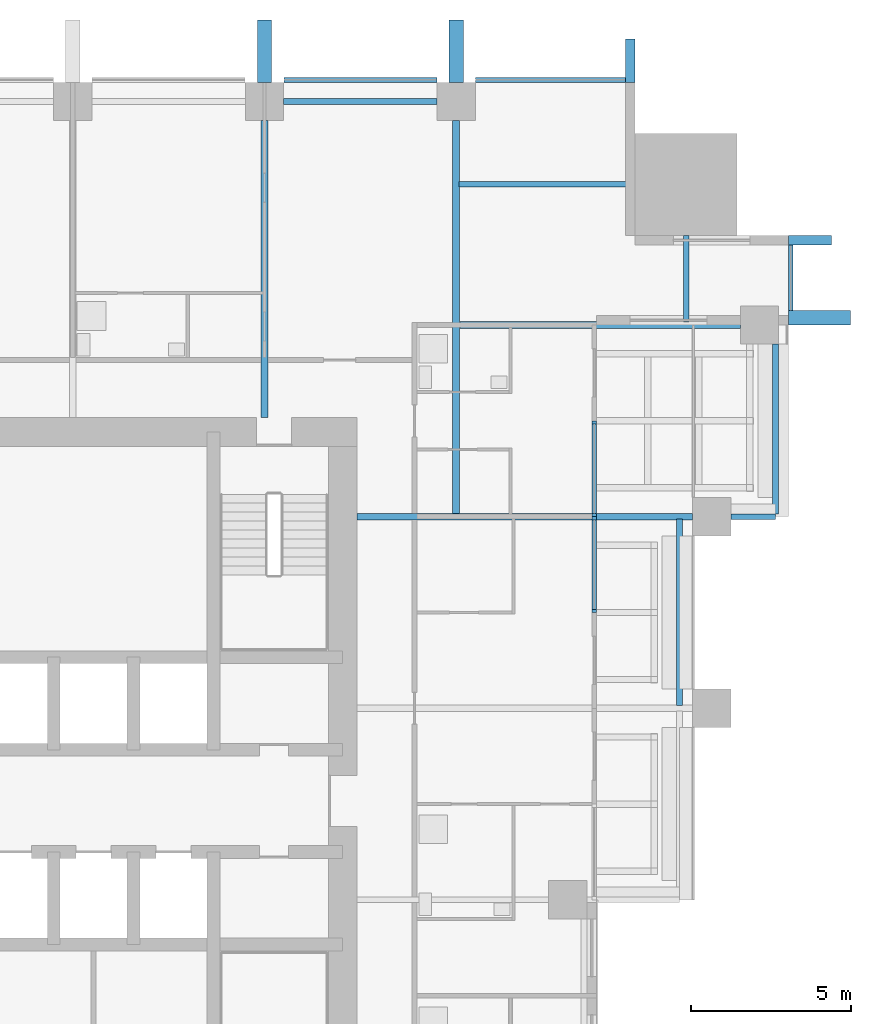
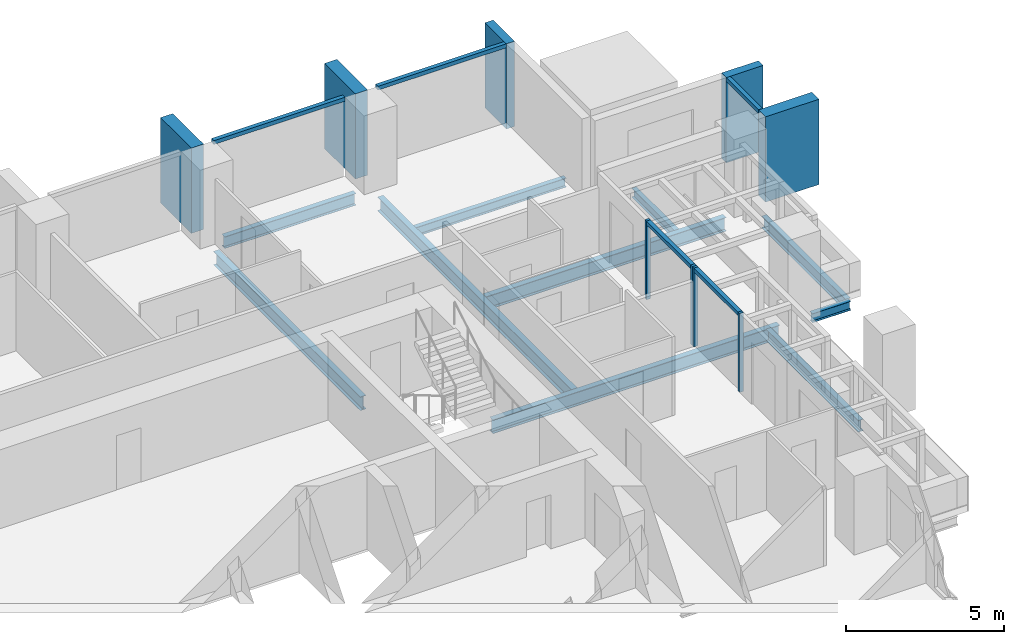
# One storey, part 5 of 15: 14 members, 10 beams, 4 elements without a shape of their own.
"""IFC4 building model written with IfcOpenShell, lengths in metres."""

from ifc_helpers import new_model, si_unit, direction, frame, origin, origin_2d, place, context, subcontext, project, spatial, rectangle, i_section, extrude, material, material_profile, profile_set, type_object, element, aggregate, save


model = new_model("IFC4")

# Units and contexts
model_context = context("Model", 3, precision=1e-05, world=origin(), true_north=direction((0.0, 1.0)))
body_context = subcontext(model_context, "Body", "Model", "MODEL_VIEW")
ifc_project = project(units=[si_unit("LENGTHUNIT", "METRE"), si_unit("AREAUNIT", "SQUARE_METRE"), si_unit("VOLUMEUNIT", "CUBIC_METRE"), si_unit("PLANEANGLEUNIT", "RADIAN"), si_unit("MASSUNIT", "GRAM", prefix="KILO")], contexts=[model_context])

# Site, building, storey
site_placement = place(None, origin())
site = spatial("IfcSite", under=ifc_project, at=site_placement, CompositionType="ELEMENT")
building_placement = place(site_placement, origin())
building = spatial("IfcBuilding", under=site, at=building_placement, Name="Amberfall Residences", CompositionType="ELEMENT")
storey_placement = place(building_placement, frame((0.0, 0.0, 53.199951171875)))
storey = spatial("IfcBuildingStorey", under=building, at=storey_placement, Name="L14", CompositionType="ELEMENT", Elevation=53.199951171875)

# Curtain wall, member
ifc_material_1 = material(Name="Bronze anodised aluminium and glass", Category="aluminium")
curtain_wall_type_1 = type_object("IfcCurtainWallType", Name="Curtain wall CW1 tower unit", PredefinedType="USERDEFINED", material=ifc_material_1)
curtain_wall_1_placement = place(storey_placement, origin())
curtain_wall_1 = element("IfcCurtainWall", 1, at=curtain_wall_1_placement, inside=storey, type_object=curtain_wall_type_1, Name="Curtain wall L14 E E9", ObjectType="UNITISED CURTAIN WALL", PredefinedType="USERDEFINED")
ifc_material_2 = material(Name="Bronze anodised aluminium", Category="aluminium")
ifc_material_profile_1 = material_profile(ifc_material_2, rectangle(XDim=0.14990234375, YDim=0.14990234375, at=origin_2d()), Name="CW1 transom 150 x 150 bronze")
ifc_profile_set_1 = profile_set([ifc_material_profile_1], Name="Bronze anodised aluminium")
member_type_1 = type_object("IfcMemberType", Name="CW1 transom 150 x 150 bronze", PredefinedType="USERDEFINED", material=ifc_profile_set_1)
member_1_placement = place(storey_placement, frame((100.074951171875, 60.85009765625, 2.97509765625), z_axis=(0.0, 1.0, 0.0), x_axis=(-1.0, 0.0, 0.0)))
member_1 = element("IfcMember", 2, at=member_1_placement, type_object=member_type_1, Name="CW1 transom 1.1", ObjectType="TRANSOM", PredefinedType="USERDEFINED", context=body_context, shape_type="SweptSolid", body=[
    extrude(rectangle(XDim=0.14990234375, YDim=0.14990234375, at=origin_2d()), origin(), (0.0, 0.0, 1.0), 2.0498046875),
])

# Curtain wall, members
curtain_wall_2_placement = place(storey_placement, origin())
curtain_wall_2 = element("IfcCurtainWall", 3, at=curtain_wall_2_placement, inside=storey, type_object=curtain_wall_type_1, Name="Curtain wall L14 N N1", ObjectType="UNITISED CURTAIN WALL", PredefinedType="USERDEFINED")
member_2_placement = place(storey_placement, frame((94.89990234375, 68.074951171875, 2.97509765625), z_axis=(-1.0, 0.0, 0.0), x_axis=(0.0, -1.0, 0.0)))
member_2 = element("IfcMember", 4, at=member_2_placement, type_object=member_type_1, Name="CW1 transom 1.1", ObjectType="TRANSOM", PredefinedType="USERDEFINED", context=body_context, shape_type="SweptSolid", body=[
    extrude(rectangle(XDim=0.14990234375, YDim=0.14990234375, at=origin_2d()), origin(), (0.0, 0.0, 1.0), 4.69482421875),
])
member_3_placement = place(storey_placement, frame((88.9951171875, 68.074951171875, 2.97509765625), z_axis=(-1.0, 0.0, 0.0), x_axis=(0.0, -1.0, 0.0)))
member_3 = element("IfcMember", 5, at=member_3_placement, type_object=member_type_1, Name="CW1 transom 2.1", ObjectType="TRANSOM", PredefinedType="USERDEFINED", context=body_context, shape_type="SweptSolid", body=[
    extrude(rectangle(XDim=0.14990234375, YDim=0.14990234375, at=origin_2d()), origin(), (0.0, 0.0, 1.0), 4.7900390625),
])

curtain_wall_type_2 = type_object("IfcCurtainWallType", Name="Curtain wall CW3 sky garden glazing", PredefinedType="USERDEFINED", material=ifc_material_1)
curtain_wall_3_placement = place(storey_placement, origin())
curtain_wall_3 = element("IfcCurtainWall", 6, at=curtain_wall_3_placement, inside=storey, type_object=curtain_wall_type_2, Name="Curtain wall L14 E E6", ObjectType="UNITISED CURTAIN WALL", PredefinedType="USERDEFINED")
ifc_material_profile_2 = material_profile(ifc_material_2, rectangle(XDim=0.14990234375, YDim=0.10009765625, at=origin_2d()), Name="CW3 mullion 100 x 150 bronze")
ifc_profile_set_2 = profile_set([ifc_material_profile_2], Name="Bronze anodised aluminium")
member_type_2 = type_object("IfcMemberType", Name="CW3 mullion 100 x 150 bronze", PredefinedType="MULLION", material=ifc_profile_set_2)
member_4_placement = place(storey_placement, frame((93.925048828125, 51.449951171875, 0.0), z_axis=(0.0, 0.0, 1.0), x_axis=(-1.0, 0.0, 0.0)))
member_4 = element("IfcMember", 7, at=member_4_placement, type_object=member_type_2, Name="CW3 mullion 1", PredefinedType="MULLION", context=body_context, shape_type="SweptSolid", body=[
    extrude(rectangle(XDim=0.14990234375, YDim=0.10009765625, at=origin_2d()), origin(), (0.0, 0.0, 1.0), 3.050048828125),
])
member_5_placement = place(storey_placement, frame((93.925048828125, 54.35009765625, 0.0), z_axis=(0.0, 0.0, 1.0), x_axis=(-1.0, 0.0, 0.0)))
member_5 = element("IfcMember", 8, at=member_5_placement, type_object=member_type_2, Name="CW3 mullion 2", PredefinedType="MULLION", context=body_context, shape_type="SweptSolid", body=[
    extrude(rectangle(XDim=0.14990234375, YDim=0.10009765625, at=origin_2d()), origin(), (0.0, 0.0, 1.0), 3.050048828125),
])

curtain_wall_4_placement = place(storey_placement, origin())
curtain_wall_4 = element("IfcCurtainWall", 9, at=curtain_wall_4_placement, inside=storey, type_object=curtain_wall_type_2, Name="Curtain wall L14 E E7", ObjectType="UNITISED CURTAIN WALL", PredefinedType="USERDEFINED")
member_6_placement = place(storey_placement, frame((93.925048828125, 54.449951171875, 0.0), z_axis=(0.0, 0.0, 1.0), x_axis=(-1.0, 0.0, 0.0)))
member_6 = element("IfcMember", 10, at=member_6_placement, type_object=member_type_2, Name="CW3 mullion 1", PredefinedType="MULLION", context=body_context, shape_type="SweptSolid", body=[
    extrude(rectangle(XDim=0.14990234375, YDim=0.10009765625, at=origin_2d()), origin(), (0.0, 0.0, 1.0), 3.050048828125),
])
member_7_placement = place(storey_placement, frame((93.925048828125, 57.35009765625, 0.0), z_axis=(0.0, 0.0, 1.0), x_axis=(-1.0, 0.0, 0.0)))
member_7 = element("IfcMember", 11, at=member_7_placement, type_object=member_type_2, Name="CW3 mullion 2", PredefinedType="MULLION", context=body_context, shape_type="SweptSolid", body=[
    extrude(rectangle(XDim=0.14990234375, YDim=0.10009765625, at=origin_2d()), origin(), (0.0, 0.0, 1.0), 3.050048828125),
])

# Member
ifc_material_profile_3 = material_profile(ifc_material_2, rectangle(XDim=0.14990234375, YDim=0.14990234375, at=origin_2d()), Name="CW3 transom 150 x 150 bronze")
ifc_profile_set_3 = profile_set([ifc_material_profile_3], Name="Bronze anodised aluminium")
member_type_3 = type_object("IfcMemberType", Name="CW3 transom 150 x 150 bronze", PredefinedType="USERDEFINED", material=ifc_profile_set_3)
member_8_placement = place(storey_placement, frame((93.925048828125, 51.5, 2.97509765625), z_axis=(0.0, 1.0, 0.0), x_axis=(-1.0, 0.0, 0.0)))
member_8 = element("IfcMember", 12, at=member_8_placement, type_object=member_type_3, Name="CW3 transom 1.1", ObjectType="TRANSOM", PredefinedType="USERDEFINED", context=body_context, shape_type="SweptSolid", body=[
    extrude(rectangle(XDim=0.14990234375, YDim=0.14990234375, at=origin_2d()), origin(), (0.0, 0.0, 1.0), 2.800048828125),
])

aggregate(curtain_wall_3, [member_4, member_5, member_8])

member_9_placement = place(storey_placement, frame((93.925048828125, 54.5, 2.97509765625), z_axis=(0.0, 1.0, 0.0), x_axis=(-1.0, 0.0, 0.0)))
member_9 = element("IfcMember", 13, at=member_9_placement, type_object=member_type_3, Name="CW3 transom 1.1", ObjectType="TRANSOM", PredefinedType="USERDEFINED", context=body_context, shape_type="SweptSolid", body=[
    extrude(rectangle(XDim=0.14990234375, YDim=0.14990234375, at=origin_2d()), origin(), (0.0, 0.0, 1.0), 2.800048828125),
])

aggregate(curtain_wall_4, [member_6, member_7, member_9])

# Beam
ifc_material_3 = material(Name="Steel S355", Category="steel")
ifc_material_profile_4 = material_profile(ifc_material_3, i_section(OverallWidth=0.171142578125, OverallDepth=0.351318359375, WebThickness=0.007080078125, FlangeThickness=0.009765625, FilletRadius=0.01025390625, at=origin_2d()), Name="UB 356x171x45")
ifc_profile_set_4 = profile_set([ifc_material_profile_4], Name="Steel S355")
beam_type_1 = type_object("IfcBeamType", Name="Cantilever girder UB 356x171x45", PredefinedType="BEAM", material=ifc_profile_set_4)
beam_1_placement = place(storey_placement, frame((98.199951171875, 54.39990234375, -0.425537109375), z_axis=(1.0, 0.0, 0.0), x_axis=(0.0, 1.0, 0.0)))
element("IfcBeam", 14, at=beam_1_placement, inside=storey, type_object=beam_type_1, Name="Cantilever girder B8 L14 20", PredefinedType="BEAM", context=body_context, shape_type="SweptSolid", body=[
    extrude(i_section(OverallWidth=0.171142578125, OverallDepth=0.351318359375, WebThickness=0.007080078125, FlangeThickness=0.009765625, FilletRadius=0.01025390625, at=origin_2d()), origin(), (0.0, 0.0, 1.0), 1.400146484375),
])

# Member
ifc_material_profile_5 = material_profile(ifc_material_2, rectangle(XDim=1.35009765625, YDim=0.300048828125, at=origin_2d()), Name="Corner fin 300 x 1350 bronze")
ifc_profile_set_5 = profile_set([ifc_material_profile_5], Name="Bronze anodised aluminium")
member_type_4 = type_object("IfcMemberType", Name="Corner fin 300 x 1350 bronze", PredefinedType="MULLION", material=ifc_profile_set_5)
member_10_placement = place(storey_placement, frame((100.675048828125, 63.050048828125, -0.25), z_axis=(0.0, 0.0, 1.0), x_axis=(-1.0, 0.0, 0.0)))
member_10 = element("IfcMember", 15, at=member_10_placement, type_object=member_type_4, Name="CW FIN 2", PredefinedType="MULLION", context=body_context, shape_type="SweptSolid", body=[
    extrude(rectangle(XDim=1.35009765625, YDim=0.300048828125, at=origin_2d()), origin(), (0.0, 0.0, 1.0), 3.300048828125),
])

member_11_placement = place(storey_placement, frame((95.050048828125, 68.675048828125, -0.25), z_axis=(0.0, 0.0, 1.0), x_axis=(0.0, -1.0, 0.0)))
member_11 = element("IfcMember", 16, at=member_11_placement, type_object=member_type_4, Name="CW FIN 1", PredefinedType="MULLION", context=body_context, shape_type="SweptSolid", body=[
    extrude(rectangle(XDim=1.35009765625, YDim=0.300048828125, at=origin_2d()), origin(), (0.0, 0.0, 1.0), 3.300048828125),
])

# Beams
ifc_material_profile_6 = material_profile(ifc_material_3, i_section(OverallWidth=0.18994140625, OverallDepth=0.453369140625, WebThickness=0.008544921875, FlangeThickness=0.0126953125, FilletRadius=0.01025390625, at=origin_2d()), Name="UB 457x191x67")
ifc_profile_set_6 = profile_set([ifc_material_profile_6], Name="Steel S355")
beam_type_2 = type_object("IfcBeamType", Name="Edge beam UB 457x191x67", PredefinedType="SPANDREL", material=ifc_profile_set_6)
beam_2_placement = place(storey_placement, frame((96.60009765625, 48.47998046875, -0.4765625), z_axis=(0.0, 1.0, 0.0), x_axis=(-1.0, 0.0, 0.0)))
element("IfcBeam", 17, at=beam_2_placement, inside=storey, type_object=beam_type_2, Name="Edge beam B1 L14 17", PredefinedType="SPANDREL", context=body_context, shape_type="SweptSolid", body=[
    extrude(i_section(OverallWidth=0.18994140625, OverallDepth=0.453369140625, WebThickness=0.008544921875, FlangeThickness=0.0126953125, FilletRadius=0.01025390625, at=origin_2d()), origin(), (0.0, 0.0, 1.0), 5.840087890625),
])
beam_3_placement = place(storey_placement, frame((99.60009765625, 54.47998046875, -0.4765625), z_axis=(0.0, 1.0, 0.0), x_axis=(-1.0, 0.0, 0.0)))
element("IfcBeam", 18, at=beam_3_placement, inside=storey, type_object=beam_type_2, Name="Edge beam B1 L14 18", PredefinedType="SPANDREL", context=body_context, shape_type="SweptSolid", body=[
    extrude(i_section(OverallWidth=0.18994140625, OverallDepth=0.453369140625, WebThickness=0.008544921875, FlangeThickness=0.0126953125, FilletRadius=0.01025390625, at=origin_2d()), origin(), (0.0, 0.0, 1.0), 5.320068359375),
])
beam_4_placement = place(storey_placement, frame((84.199951171875, 67.39990234375, -0.4765625), z_axis=(1.0, 0.0, 0.0), x_axis=(0.0, 1.0, 0.0)))
element("IfcBeam", 19, at=beam_4_placement, inside=storey, type_object=beam_type_2, Name="Edge beam B1 L14 31", PredefinedType="SPANDREL", context=body_context, shape_type="SweptSolid", body=[
    extrude(i_section(OverallWidth=0.18994140625, OverallDepth=0.453369140625, WebThickness=0.008544921875, FlangeThickness=0.0126953125, FilletRadius=0.01025390625, at=origin_2d()), origin(), (0.0, 0.0, 1.0), 4.800048828125),
])

# Member
ifc_material_profile_7 = material_profile(ifc_material_2, rectangle(XDim=1.949951171875, YDim=0.449951171875, at=origin_2d()), Name="Fin 450 x 1950 bronze")
ifc_profile_set_7 = profile_set([ifc_material_profile_7], Name="Bronze anodised aluminium")
member_type_5 = type_object("IfcMemberType", Name="Fin 450 x 1950 bronze", PredefinedType="MULLION", material=ifc_profile_set_7)
member_12_placement = place(storey_placement, frame((100.97509765625, 60.625, -0.25), z_axis=(0.0, 0.0, 1.0), x_axis=(-1.0, 0.0, 0.0)))
member_12 = element("IfcMember", 20, at=member_12_placement, type_object=member_type_5, Name="CW FIN 1", PredefinedType="MULLION", context=body_context, shape_type="SweptSolid", body=[
    extrude(rectangle(XDim=1.949951171875, YDim=0.449951171875, at=origin_2d()), origin(), (0.0, 0.0, 1.0), 3.300048828125),
])

aggregate(curtain_wall_1, [member_12, member_10, member_1])

member_13_placement = place(storey_placement, frame((89.60009765625, 68.97509765625, -0.25), z_axis=(0.0, 0.0, 1.0), x_axis=(0.0, -1.0, 0.0)))
member_13 = element("IfcMember", 21, at=member_13_placement, type_object=member_type_5, Name="CW FIN 2", PredefinedType="MULLION", context=body_context, shape_type="SweptSolid", body=[
    extrude(rectangle(XDim=1.949951171875, YDim=0.449951171875, at=origin_2d()), origin(), (0.0, 0.0, 1.0), 3.300048828125),
])

member_14_placement = place(storey_placement, frame((83.60009765625, 68.97509765625, -0.25), z_axis=(0.0, 0.0, 1.0), x_axis=(0.0, -1.0, 0.0)))
member_14 = element("IfcMember", 22, at=member_14_placement, type_object=member_type_5, Name="CW FIN 3", PredefinedType="MULLION", context=body_context, shape_type="SweptSolid", body=[
    extrude(rectangle(XDim=1.949951171875, YDim=0.449951171875, at=origin_2d()), origin(), (0.0, 0.0, 1.0), 3.300048828125),
])

aggregate(curtain_wall_2, [member_11, member_13, member_14, member_2, member_3])

# Beams
ifc_material_profile_8 = material_profile(ifc_material_3, i_section(OverallWidth=0.210693359375, OverallDepth=0.53955078125, WebThickness=0.01171875, FlangeThickness=0.018798828125, FilletRadius=0.0126953125, at=origin_2d()), Name="UB 533x210x109")
ifc_profile_set_8 = profile_set([ifc_material_profile_8], Name="Steel S355")
beam_type_3 = type_object("IfcBeamType", Name="Floor girder UB 533x210x109", PredefinedType="BEAM", material=ifc_profile_set_8)
beam_5_placement = place(storey_placement, frame((89.60009765625, 66.800048828125, -0.519775390625), z_axis=(0.0, -1.0, 0.0), x_axis=(1.0, 0.0, 0.0)))
element("IfcBeam", 23, at=beam_5_placement, inside=storey, type_object=beam_type_3, Name="Floor girder B2 L14 37", PredefinedType="BEAM", context=body_context, shape_type="SweptSolid", body=[
    extrude(i_section(OverallWidth=0.210693359375, OverallDepth=0.53955078125, WebThickness=0.01171875, FlangeThickness=0.018798828125, FilletRadius=0.0126953125, at=origin_2d()), origin(), (0.0, 0.0, 1.0), 12.300537109375),
])
ifc_material_profile_9 = material_profile(ifc_material_3, i_section(OverallWidth=0.209228515625, OverallDepth=0.533203125, WebThickness=0.010009765625, FlangeThickness=0.015625, FilletRadius=0.0126953125, at=origin_2d()), Name="UB 533x210x92")
ifc_profile_set_9 = profile_set([ifc_material_profile_9], Name="Steel S355")
beam_type_4 = type_object("IfcBeamType", Name="Floor girder UB 533x210x92", PredefinedType="BEAM", material=ifc_profile_set_9)
beam_6_placement = place(storey_placement, frame((97.0, 54.39990234375, -0.5166015625), z_axis=(-1.0, 0.0, 0.0), x_axis=(0.0, -1.0, 0.0)))
element("IfcBeam", 24, at=beam_6_placement, inside=storey, type_object=beam_type_4, Name="Floor girder B3 L14 25", PredefinedType="BEAM", context=body_context, shape_type="SweptSolid", body=[
    extrude(i_section(OverallWidth=0.209228515625, OverallDepth=0.533203125, WebThickness=0.010009765625, FlangeThickness=0.015625, FilletRadius=0.0126953125, at=origin_2d()), origin(), (0.0, 0.0, 1.0), 10.5),
])
beam_7_placement = place(storey_placement, frame((98.5, 60.39990234375, -0.5166015625), z_axis=(-1.0, 0.0, 0.0), x_axis=(0.0, -1.0, 0.0)))
element("IfcBeam", 25, at=beam_7_placement, inside=storey, type_object=beam_type_4, Name="Floor girder B3 L14 26", PredefinedType="BEAM", context=body_context, shape_type="SweptSolid", body=[
    extrude(i_section(OverallWidth=0.209228515625, OverallDepth=0.533203125, WebThickness=0.010009765625, FlangeThickness=0.015625, FilletRadius=0.0126953125, at=origin_2d()), origin(), (0.0, 0.0, 1.0), 8.780029296875),
])
beam_8_placement = place(storey_placement, frame((83.60009765625, 66.800048828125, -0.5166015625), z_axis=(0.0, -1.0, 0.0), x_axis=(1.0, 0.0, 0.0)))
element("IfcBeam", 26, at=beam_8_placement, inside=storey, type_object=beam_type_4, Name="Floor girder B3 L14 36", PredefinedType="BEAM", context=body_context, shape_type="SweptSolid", body=[
    extrude(i_section(OverallWidth=0.209228515625, OverallDepth=0.533203125, WebThickness=0.010009765625, FlangeThickness=0.015625, FilletRadius=0.0126953125, at=origin_2d()), origin(), (0.0, 0.0, 1.0), 9.300048828125),
])
ifc_material_profile_10 = material_profile(ifc_material_3, i_section(OverallWidth=0.171142578125, OverallDepth=0.351318359375, WebThickness=0.007080078125, FlangeThickness=0.009765625, FilletRadius=0.01025390625, at=origin_2d()), Name="UB 356x171x45")
ifc_profile_set_10 = profile_set([ifc_material_profile_10], Name="Steel S355")
beam_type_5 = type_object("IfcBeamType", Name="Link beam UB 356x171x45", PredefinedType="BEAM", material=ifc_profile_set_10)
beam_9_placement = place(storey_placement, frame((95.199951171875, 64.800048828125, -0.425537109375), z_axis=(-1.0, 0.0, 0.0), x_axis=(0.0, -1.0, 0.0)))
element("IfcBeam", 27, at=beam_9_placement, inside=storey, type_object=beam_type_5, Name="Link beam B7 L14 53", PredefinedType="BEAM", context=body_context, shape_type="SweptSolid", body=[
    extrude(i_section(OverallWidth=0.171142578125, OverallDepth=0.351318359375, WebThickness=0.007080078125, FlangeThickness=0.009765625, FilletRadius=0.01025390625, at=origin_2d()), origin(), (0.0, 0.0, 1.0), 5.504638671875),
])
beam_10_placement = place(storey_placement, frame((96.800048828125, 63.199951171875, -0.425537109375), z_axis=(0.0, -1.0, 0.0), x_axis=(1.0, 0.0, 0.0)))
element("IfcBeam", 28, at=beam_10_placement, inside=storey, type_object=beam_type_5, Name="Link beam B7 L14 54", PredefinedType="BEAM", context=body_context, shape_type="SweptSolid", body=[
    extrude(i_section(OverallWidth=0.171142578125, OverallDepth=0.351318359375, WebThickness=0.007080078125, FlangeThickness=0.009765625, FilletRadius=0.01025390625, at=origin_2d()), origin(), (0.0, 0.0, 1.0), 2.705322265625),
])

save(model, "model.ifc")
